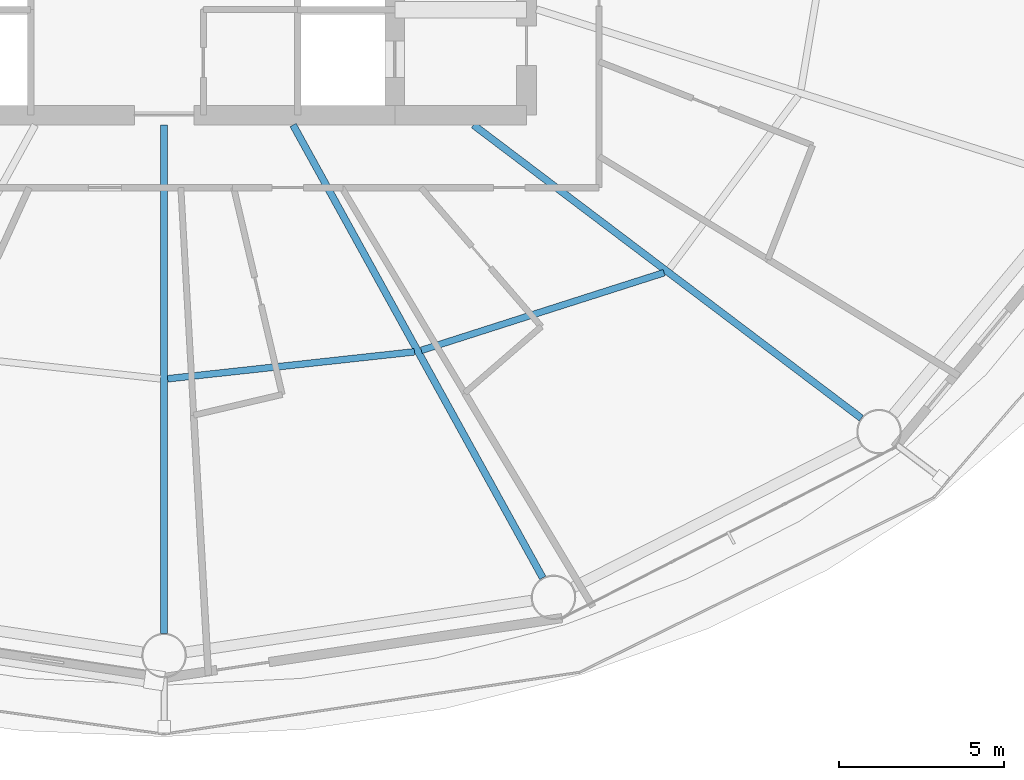
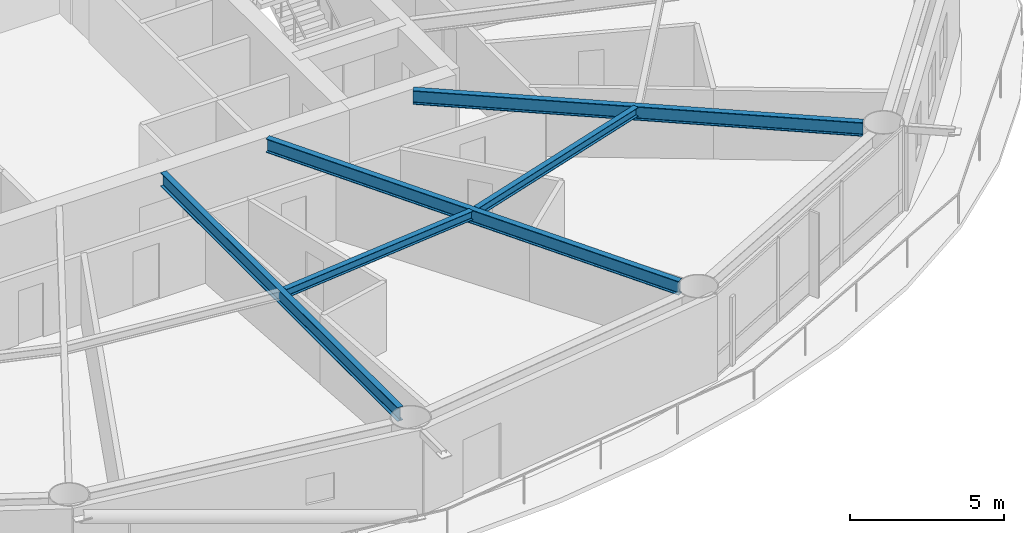
# One storey, part 7 of 26: 5 beams.
"""IFC4 building model written with IfcOpenShell, lengths in metres."""

from ifc_helpers import new_model, si_unit, direction, frame, origin, origin_2d, place, context, subcontext, project, spatial, i_section, extrude, material, material_profile, profile_set, type_object, element, save


model = new_model("IFC4")

# Units and contexts
model_context = context("Model", 3, precision=1e-05, world=origin(), true_north=direction((0.0, 1.0)))
body_context = subcontext(model_context, "Body", "Model", "MODEL_VIEW")
ifc_project = project(units=[si_unit("LENGTHUNIT", "METRE"), si_unit("AREAUNIT", "SQUARE_METRE"), si_unit("VOLUMEUNIT", "CUBIC_METRE"), si_unit("PLANEANGLEUNIT", "RADIAN"), si_unit("MASSUNIT", "GRAM", prefix="KILO")], contexts=[model_context])

# Site, building, storey
site_placement = place(None, origin())
site = spatial("IfcSite", under=ifc_project, at=site_placement, CompositionType="ELEMENT")
building_placement = place(site_placement, origin())
building = spatial("IfcBuilding", under=site, at=building_placement, Name="Sarneth Arch Tower", CompositionType="ELEMENT")
storey_placement = place(building_placement, frame((0.0, 0.0, 57.0)))
storey = spatial("IfcBuildingStorey", under=building, at=storey_placement, Name="L13", CompositionType="ELEMENT", Elevation=57.0)

# Beams
ifc_material_1 = material(Name="Steel S355", Category="steel")
ifc_material_profile_1 = material_profile(ifc_material_1, i_section(OverallWidth=0.2041015625, OverallDepth=0.35009765625, WebThickness=0.008544921875, FlangeThickness=0.01513671875, FilletRadius=0.014892578125, at=origin_2d()), Name="W360x72")
ifc_profile_set_1 = profile_set([ifc_material_profile_1], Name="Steel S355")
beam_type_1 = type_object("IfcBeamType", Name="BM-JOIST-360D", PredefinedType="JOIST", material=ifc_profile_set_1)
beam_1_placement = place(storey_placement, frame((48.1064453125, 27.19921875, 3.205078125), z_axis=(0.994095251924, 0.108510967657, 0.0), x_axis=(-0.108510967657, 0.994095251924, 0.0)))
element("IfcBeam", 1, at=beam_1_placement, inside=storey, type_object=beam_type_1, Name="L13 Secondary floor joist 13", PredefinedType="JOIST", context=body_context, shape_type="SweptSolid", body=[
    extrude(i_section(OverallWidth=0.2041015625, OverallDepth=0.35009765625, WebThickness=0.008544921875, FlangeThickness=0.01513671875, FilletRadius=0.014892578125, at=origin_2d()), origin(), (0.0, 0.0, 1.0), 7.534912109375),
])
beam_2_placement = place(storey_placement, frame((55.80517578125, 28.061279296875, 3.205078125), z_axis=(0.952436240143, 0.304737934073, 0.0), x_axis=(-0.304737934073, 0.952436240143, 0.0)))
element("IfcBeam", 2, at=beam_2_placement, inside=storey, type_object=beam_type_1, Name="L13 Secondary floor joist 14", PredefinedType="JOIST", context=body_context, shape_type="SweptSolid", body=[
    extrude(i_section(OverallWidth=0.2041015625, OverallDepth=0.35009765625, WebThickness=0.008544921875, FlangeThickness=0.01513671875, FilletRadius=0.014892578125, at=origin_2d()), origin(), (0.0, 0.0, 1.0), 7.735107421875),
])
ifc_material_2 = material(Name="Steel S355", Category="steel")
ifc_material_profile_2 = material_profile(ifc_material_2, i_section(OverallWidth=0.214111328125, OverallDepth=0.549072265625, WebThickness=0.0146484375, FlangeThickness=0.023681640625, FilletRadius=0.01806640625, at=origin_2d()), Name="W530x138")
ifc_profile_set_2 = profile_set([ifc_material_profile_2], Name="Steel S355")
beam_type_2 = type_object("IfcBeamType", Name="BM-RAD-530A", PredefinedType="BEAM", material=ifc_profile_set_2)
beam_3_placement = place(storey_placement, frame((48.0, 34.89990234375, 3.10546875), z_axis=(0.0, -1.0, 0.0), x_axis=(1.0, 0.0, 0.0)))
element("IfcBeam", 3, at=beam_3_placement, inside=storey, type_object=beam_type_2, Name="L13 Radial floor girder 13", PredefinedType="BEAM", context=body_context, shape_type="SweptSolid", body=[
    extrude(i_section(OverallWidth=0.214111328125, OverallDepth=0.549072265625, WebThickness=0.0146484375, FlangeThickness=0.023681640625, FilletRadius=0.01806640625, at=origin_2d()), origin(), (0.0, 0.0, 1.0), 15.4248046875),
])
beam_4_placement = place(storey_placement, frame((51.91455078125, 34.89990234375, 3.10546875), z_axis=(0.482837562311, -0.875709933952, 0.0), x_axis=(0.875709933952, 0.482837562311, 0.0)))
element("IfcBeam", 4, at=beam_4_placement, inside=storey, type_object=beam_type_2, Name="L13 Radial floor girder 14", PredefinedType="BEAM", context=body_context, shape_type="SweptSolid", body=[
    extrude(i_section(OverallWidth=0.214111328125, OverallDepth=0.549072265625, WebThickness=0.0146484375, FlangeThickness=0.023681640625, FilletRadius=0.01806640625, at=origin_2d()), origin(), (0.0, 0.0, 1.0), 15.693359375),
])
beam_5_placement = place(storey_placement, frame((57.390380859375, 34.89990234375, 3.10546875), z_axis=(0.797656612852, -0.603111870198, 0.0), x_axis=(0.603111870198, 0.797656612852, 0.0)))
element("IfcBeam", 5, at=beam_5_placement, inside=storey, type_object=beam_type_2, Name="L13 Radial floor girder 15", PredefinedType="BEAM", context=body_context, shape_type="SweptSolid", body=[
    extrude(i_section(OverallWidth=0.214111328125, OverallDepth=0.549072265625, WebThickness=0.0146484375, FlangeThickness=0.023681640625, FilletRadius=0.01806640625, at=origin_2d()), origin(), (0.0, 0.0, 1.0), 14.7529296875),
])

save(model, "model.ifc")
